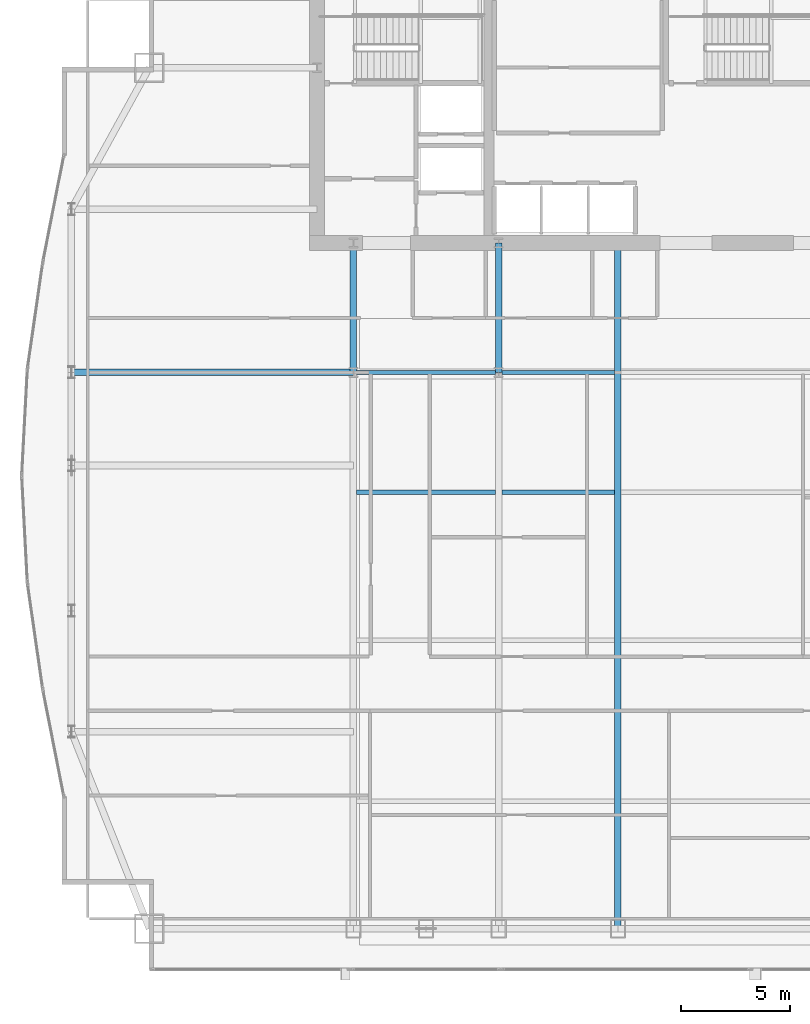
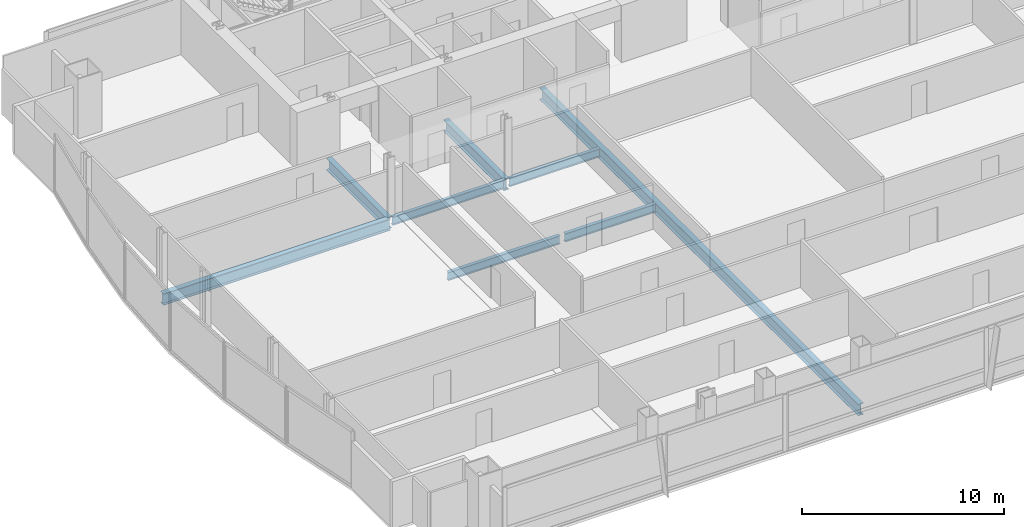
# One storey, part 12 of 29: 8 beams.
"""IFC4 building model written with IfcOpenShell, lengths in metres."""

import ifcopenshell
import ifcopenshell.guid

model = None  # the IFC model being written
_history = None  # IfcOwnerHistory: only IFC2X3 demands one
_inside = {}  # id of a spatial element -> (the spatial element, [elements in it])
_under = {}  # id of a project, library or spatial element -> (it, [spatial elements below it])
_declared = {}  # id of a project -> (the project, [libraries it declares])
_typed = {}  # id of a type object -> (the type object, [elements of that type])
_made_of = {}  # id of a material, layer set ... -> (it, [elements and type objects made of it])


def new_model(schema):
    """Start an empty IFC model of exactly this schema.

    Asked for "IFC4X3", IfcOpenShell would pick the latest addendum, in which some entities
    have other attributes; the version numbers below select the first issue.
    IFC2X3 requires an IfcOwnerHistory on every rooted entity: one is made here for all.
    """
    global model, _history
    if schema == "IFC4X3":
        model = ifcopenshell.file(schema_version=(4, 3, 0, 0))
    else:
        model = ifcopenshell.file(schema=schema)
    _inside.clear()
    _under.clear()
    _declared.clear()
    _typed.clear()
    _made_of.clear()
    _history = None
    if model.schema == "IFC2X3":
        org = make("IfcOrganization", Name="unknown")
        user = make(
            "IfcPersonAndOrganization",
            ThePerson=make("IfcPerson", FamilyName="unknown"),
            TheOrganization=org,
        )
        app = make(
            "IfcApplication",
            ApplicationDeveloper=org,
            Version="unknown",
            ApplicationFullName="unknown",
            ApplicationIdentifier="unknown",
        )
        _history = make(
            "IfcOwnerHistory",
            OwningUser=user,
            OwningApplication=app,
            ChangeAction="ADDED",
            CreationDate=0,
        )
    return model


def make(cls, **values):
    """One entity of the class cls with the attributes given. An attribute that is None is left unset."""
    return model.create_entity(
        cls, **{name: value for name, value in values.items() if value is not None}
    )


def rooted(cls, **values):
    """An entity with a GlobalId (a new one), such as an element, a storey or a relation."""
    return make(cls, GlobalId=ifcopenshell.guid.new(), OwnerHistory=_history, **values)


def si_unit(unit_type, name, prefix=None):
    """IfcSIUnit, for example si_unit("LENGTHUNIT", "METRE", prefix="MILLI")."""
    return make("IfcSIUnit", UnitType=unit_type, Prefix=prefix, Name=name)


def assignment(units):
    """IfcUnitAssignment: the units of a project."""
    return None if units is None else make("IfcUnitAssignment", Units=units)


def point(xyz):
    """IfcCartesianPoint."""
    return None if xyz is None else make("IfcCartesianPoint", Coordinates=xyz)


def direction(xyz):
    """IfcDirection."""
    return None if xyz is None else make("IfcDirection", DirectionRatios=xyz)


def frame(location, z_axis=None, x_axis=None):
    """IfcAxis2Placement3D, a coordinate frame: its origin and axes. An axis left out is left unset."""
    return make(
        "IfcAxis2Placement3D",
        Location=point(location),
        Axis=direction(z_axis),
        RefDirection=direction(x_axis),
    )


def frame_2d(location, x_axis=None):
    """IfcAxis2Placement2D, a coordinate frame in the plane: its origin and x axis."""
    return make(
        "IfcAxis2Placement2D", Location=point(location), RefDirection=direction(x_axis)
    )


def origin():
    """The frame at (0, 0, 0) with its axes left unset."""
    return frame((0.0, 0.0, 0.0))


def origin_2d():
    """The frame at (0, 0) in the plane with its x axis left unset."""
    return frame_2d((0.0, 0.0))


def place(relative_to, where):
    """IfcLocalPlacement: puts the frame where relative to a parent placement (None: the world)."""
    return make(
        "IfcLocalPlacement", PlacementRelTo=relative_to, RelativePlacement=where
    )


def context(
    kind, dimensions, precision=None, world=None, true_north=None, identifier=None
):
    """IfcGeometricRepresentationContext, for example the 3D "Model" context."""
    return make(
        "IfcGeometricRepresentationContext",
        ContextIdentifier=identifier,
        ContextType=kind,
        CoordinateSpaceDimension=dimensions,
        Precision=precision,
        WorldCoordinateSystem=world,
        TrueNorth=true_north,
    )


def subcontext(parent, identifier, kind, view, scale=None):
    """IfcGeometricRepresentationSubContext, for example "Body" below "Model"."""
    return make(
        "IfcGeometricRepresentationSubContext",
        ContextIdentifier=identifier,
        ContextType=kind,
        ParentContext=parent,
        TargetScale=scale,
        TargetView=view,
    )


def project(units=None, contexts=None):
    """IfcProject with its units and contexts."""
    return rooted(
        "IfcProject",
        Name="project",
        RepresentationContexts=contexts,
        UnitsInContext=assignment(units),
    )


def spatial(cls, under=None, at=None, **own):
    """A site, building, storey or space (cls), placed at a placement, below another one or the project."""
    s = rooted(cls, ObjectPlacement=at, **own)
    if under is not None:
        _under.setdefault(under.id(), (under, []))[1].append(s)
    return s


def profile(cls, at=None, kind="AREA", **sizes):
    """A parametric profile (cls). Its sizes go by their IFC names, for example OverallWidth=200.0."""
    return make(cls, ProfileType=kind, Position=at, **sizes)


def i_section(**sizes):
    """IfcIShapeProfileDef."""
    return profile("IfcIShapeProfileDef", **sizes)


def extrude(swept, where, along, depth):
    """IfcExtrudedAreaSolid: the profile swept, set in the frame where, extruded along a direction by depth."""
    return make(
        "IfcExtrudedAreaSolid",
        SweptArea=swept,
        Position=where,
        ExtrudedDirection=direction(along),
        Depth=depth,
    )


def shape(context_of_items, identifier, shape_type, items):
    """IfcShapeRepresentation: the items that make up one representation, for example the "Body"."""
    return make(
        "IfcShapeRepresentation",
        ContextOfItems=context_of_items,
        RepresentationIdentifier=identifier,
        RepresentationType=shape_type,
        Items=items,
    )


def material(Name=None, Category=None):
    """IfcMaterial."""
    return make("IfcMaterial", Name=Name, Category=Category)


def material_profile(
    of_material, cross_section, Name=None, Category=None, Priority=None
):
    """IfcMaterialProfile: a cross section and its material."""
    return make(
        "IfcMaterialProfile",
        Name=Name,
        Material=of_material,
        Profile=cross_section,
        Priority=Priority,
        Category=Category,
    )


def profile_set(profiles, Name=None, composite=None):
    """IfcMaterialProfileSet."""
    return make(
        "IfcMaterialProfileSet",
        Name=Name,
        MaterialProfiles=profiles,
        CompositeProfile=composite,
    )


def made_of(thing, what):
    """Note that an element or type object is made of a material, layer set ...; save() writes the relation."""
    if what is not None:
        _made_of.setdefault(what.id(), (what, []))[1].append(thing)
    return thing


def type_object(cls, material=None, **own):
    """A type object (cls), such as IfcWallType, which elements share."""
    return made_of(rooted(cls, **own), material)


def element(
    cls,
    number,
    at=None,
    inside=None,
    cuts=None,
    type_object=None,
    material=None,
    context=None,
    identifier="Body",
    shape_type=None,
    held_by="IfcProductDefinitionShape",
    body=None,
    shapes=None,
    **own,
):
    """One element of the class cls, such as IfcWall. Its Tag is "e" and its number.

    at: its placement. inside: the storey or other place that contains it. cuts: it is an
    opening in that element (IfcRelVoidsElement). A single representation is given by context,
    identifier, shape_type and body (its items); several are given by shapes. held_by: the class
    of the entity that holds the representations. save() writes the other relations.
    """
    e = rooted(cls, Tag="e%d" % number, ObjectPlacement=at, **own)
    if body is not None:
        shapes = [shape(context, identifier, shape_type, body)]
    if shapes is not None:
        e.Representation = make(held_by, Representations=shapes)
    if inside is not None:
        _inside.setdefault(inside.id(), (inside, []))[1].append(e)
    if cuts is not None:
        rooted(
            "IfcRelVoidsElement", RelatingBuildingElement=cuts, RelatedOpeningElement=e
        )
    if type_object is not None:
        _typed.setdefault(type_object.id(), (type_object, []))[1].append(e)
    return made_of(e, material)


def aggregate(whole, parts):
    """IfcRelAggregates: a whole, such as a stair, and the parts it consists of."""
    return rooted("IfcRelAggregates", RelatingObject=whole, RelatedObjects=parts)


def save(model, path):
    """Write the relations noted so far, then the file.

    IfcRelAggregates (storeys below a building ...), IfcRelContainedInSpatialStructure (elements
    in a storey), IfcRelDefinesByType, IfcRelAssociatesMaterial and IfcRelDeclares: one each for
    every whole, place, type object, material and project.
    """
    for whole, parts in _under.values():
        aggregate(whole, parts)
    for where, things in _inside.values():
        rooted(
            "IfcRelContainedInSpatialStructure",
            RelatedElements=things,
            RelatingStructure=where,
        )
    for kind, things in _typed.values():
        rooted("IfcRelDefinesByType", RelatedObjects=things, RelatingType=kind)
    for what, things in _made_of.values():
        rooted("IfcRelAssociatesMaterial", RelatedObjects=things, RelatingMaterial=what)
    for by, libraries in _declared.values():
        rooted("IfcRelDeclares", RelatingContext=by, RelatedDefinitions=libraries)
    model.write(path)


model = new_model("IFC4")

# Units and contexts
model_context = context("Model", 3, precision=1e-05, world=origin(), true_north=direction((0.0, 1.0)))
body_context = subcontext(model_context, "Body", "Model", "MODEL_VIEW")
ifc_project = project(units=[si_unit("LENGTHUNIT", "METRE"), si_unit("AREAUNIT", "SQUARE_METRE"), si_unit("VOLUMEUNIT", "CUBIC_METRE"), si_unit("PLANEANGLEUNIT", "RADIAN"), si_unit("MASSUNIT", "GRAM", prefix="KILO")], contexts=[model_context])

# Site, building, storey
site_placement = place(None, origin())
site = spatial("IfcSite", under=ifc_project, at=site_placement, CompositionType="ELEMENT")
building_placement = place(site_placement, origin())
building = spatial("IfcBuilding", under=site, at=building_placement, Name="Khoronbel Lancet Exchange", CompositionType="ELEMENT")
storey_placement = place(building_placement, frame((0.0, 0.0, 154.199951171875)))
storey = spatial("IfcBuildingStorey", under=building, at=storey_placement, Name="L38", CompositionType="ELEMENT", Elevation=154.199951171875)

# Beams
ifc_material = material(Name="Steel S355", Category="steel")
ifc_material_profile_1 = material_profile(ifc_material, i_section(OverallWidth=0.300048828125, OverallDepth=0.699951171875, WebThickness=0.01708984375, FlangeThickness=0.031982421875, at=origin_2d()), Name="HEB 700")
ifc_profile_set_1 = profile_set([ifc_material_profile_1], Name="Steel S355")
beam_type_1 = type_object("IfcBeamType", Name="BM-BG3", PredefinedType="BEAM", material=ifc_profile_set_1)
for number, where, z_axis, x_axis, name in (
    (1, (18.22509765625, 35.699951171875, -0.510009765625), (0.0, 1.0, 0.0), (-1.0, 0.0, 0.0), "Level L38 spine tie girder GN1"),
    (2, (24.89990234375, 35.699951171875, -0.510009765625), (0.0, 1.0, 0.0), (-1.0, 0.0, 0.0), "Level L38 spine tie girder GN2"),
):
    element("IfcBeam", number, at=place(storey_placement, frame(where, z_axis=z_axis, x_axis=x_axis)), inside=storey, type_object=beam_type_1, Name=name, PredefinedType="BEAM", context=body_context, shape_type="SweptSolid", body=[
        extrude(i_section(OverallWidth=0.300048828125, OverallDepth=0.699951171875, WebThickness=0.01708984375, FlangeThickness=0.031982421875, at=origin_2d()), origin(), (0.0, 0.0, 1.0), 5.949951171875),
    ])
beam_1_placement = place(storey_placement, frame((30.375, 10.14990234375, -0.510009765625), z_axis=(0.0, 1.0, 0.0), x_axis=(-1.0, 0.0, 0.0)))
element("IfcBeam", 3, at=beam_1_placement, inside=storey, type_object=beam_type_1, Name="Level L38 primary floor girder G3", PredefinedType="BEAM", context=body_context, shape_type="SweptSolid", body=[
    extrude(i_section(OverallWidth=0.300048828125, OverallDepth=0.699951171875, WebThickness=0.01708984375, FlangeThickness=0.031982421875, at=origin_2d()), origin(), (0.0, 0.0, 1.0), 31.5),
])
beam_2_placement = place(storey_placement, frame((5.27001953125, 35.699951171875, -0.510009765625), z_axis=(1.0, 0.0, 0.0), x_axis=(0.0, 1.0, 0.0)))
element("IfcBeam", 4, at=beam_2_placement, inside=storey, type_object=beam_type_1, Name="Level L38 west lens tie girder LG4W", PredefinedType="BEAM", context=body_context, shape_type="SweptSolid", body=[
    extrude(i_section(OverallWidth=0.300048828125, OverallDepth=0.699951171875, WebThickness=0.01708984375, FlangeThickness=0.031982421875, at=origin_2d()), origin(), (0.0, 0.0, 1.0), 12.955078125),
])
ifc_material_profile_2 = material_profile(ifc_material, i_section(OverallWidth=0.199951171875, OverallDepth=0.5, WebThickness=0.01025390625, FlangeThickness=0.01611328125, at=origin_2d()), Name="IPE 500")
ifc_profile_set_2 = profile_set([ifc_material_profile_2], Name="Steel S355")
beam_type_2 = type_object("IfcBeamType", Name="BM-BJ3", PredefinedType="JOIST", material=ifc_profile_set_2)
beam_3_placement = place(storey_placement, frame((18.375, 30.199951171875, -0.409912109375), z_axis=(1.0, 0.0, 0.0), x_axis=(0.0, 1.0, 0.0)))
element("IfcBeam", 5, at=beam_3_placement, inside=storey, type_object=beam_type_2, Name="Level L38 secondary composite joist J11", PredefinedType="JOIST", context=body_context, shape_type="SweptSolid", body=[
    extrude(i_section(OverallWidth=0.199951171875, OverallDepth=0.5, WebThickness=0.01025390625, FlangeThickness=0.01611328125, at=origin_2d()), origin(), (0.0, 0.0, 1.0), 6.375),
])
beam_4_placement = place(storey_placement, frame((25.050048828125, 30.199951171875, -0.409912109375), z_axis=(1.0, 0.0, 0.0), x_axis=(0.0, 1.0, 0.0)))
element("IfcBeam", 6, at=beam_4_placement, inside=storey, type_object=beam_type_2, Name="Level L38 secondary composite joist J12", PredefinedType="JOIST", context=body_context, shape_type="SweptSolid", body=[
    extrude(i_section(OverallWidth=0.199951171875, OverallDepth=0.5, WebThickness=0.01025390625, FlangeThickness=0.01611328125, at=origin_2d()), origin(), (0.0, 0.0, 1.0), 5.175048828125),
])
beam_5_placement = place(storey_placement, frame((18.375, 35.699951171875, -0.409912109375), z_axis=(1.0, 0.0, 0.0), x_axis=(0.0, 1.0, 0.0)))
element("IfcBeam", 7, at=beam_5_placement, inside=storey, type_object=beam_type_2, Name="Level L38 secondary composite joist J16", PredefinedType="JOIST", context=body_context, shape_type="SweptSolid", body=[
    extrude(i_section(OverallWidth=0.199951171875, OverallDepth=0.5, WebThickness=0.01025390625, FlangeThickness=0.01611328125, at=origin_2d()), origin(), (0.0, 0.0, 1.0), 6.375),
])
beam_6_placement = place(storey_placement, frame((25.050048828125, 35.699951171875, -0.409912109375), z_axis=(1.0, 0.0, 0.0), x_axis=(0.0, 1.0, 0.0)))
element("IfcBeam", 8, at=beam_6_placement, inside=storey, type_object=beam_type_2, Name="Level L38 secondary composite joist J17", PredefinedType="JOIST", context=body_context, shape_type="SweptSolid", body=[
    extrude(i_section(OverallWidth=0.199951171875, OverallDepth=0.5, WebThickness=0.01025390625, FlangeThickness=0.01611328125, at=origin_2d()), origin(), (0.0, 0.0, 1.0), 5.175048828125),
])

save(model, "model.ifc")
